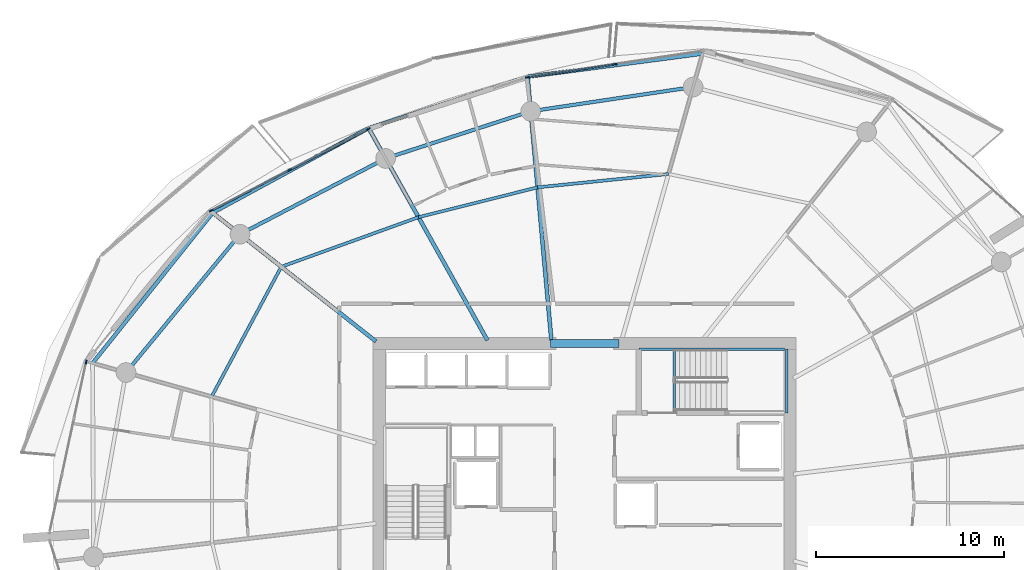
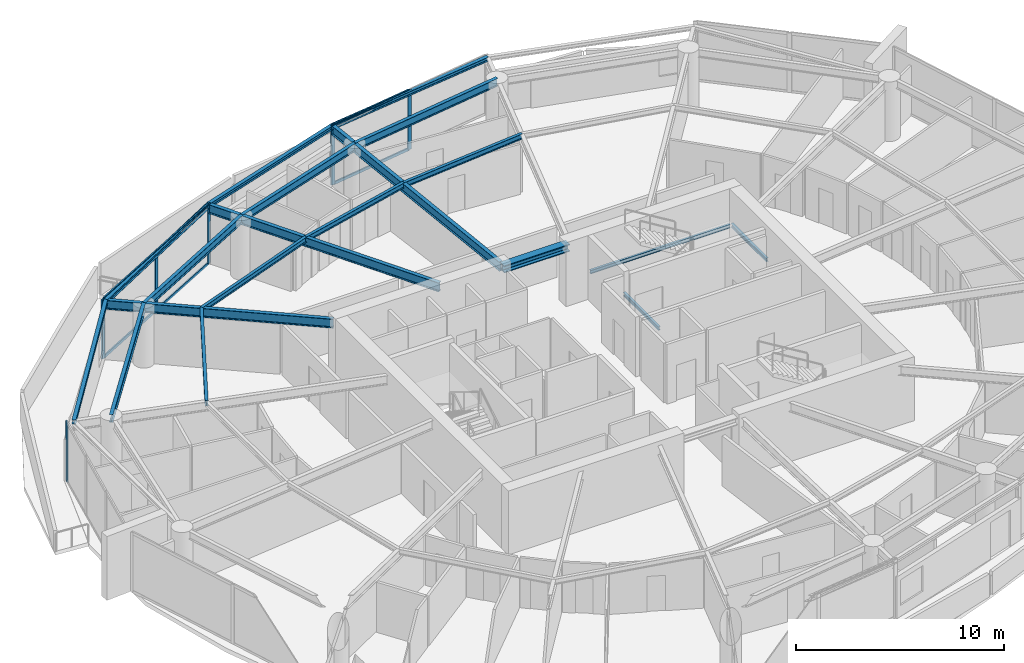
# One storey, part 8 of 20: 19 beams, 12 members, 3 elements without a shape of their own.
"""IFC4 building model written with IfcOpenShell, lengths in metres."""

from ifc_helpers import new_model, si_unit, direction, frame, origin, origin_2d, place, context, subcontext, project, spatial, rectangle, i_section, extrude, material, layer, layer_set, material_profile, profile_set, type_object, element, aggregate, save


model = new_model("IFC4")

# Units and contexts
model_context = context("Model", 3, precision=1e-05, world=origin(), true_north=direction((0.0, 1.0)))
body_context = subcontext(model_context, "Body", "Model", "MODEL_VIEW")
ifc_project = project(units=[si_unit("LENGTHUNIT", "METRE"), si_unit("AREAUNIT", "SQUARE_METRE"), si_unit("VOLUMEUNIT", "CUBIC_METRE"), si_unit("PLANEANGLEUNIT", "RADIAN"), si_unit("MASSUNIT", "GRAM", prefix="KILO")], contexts=[model_context])

# Site, building, storey
site_placement = place(None, origin())
site = spatial("IfcSite", under=ifc_project, at=site_placement, CompositionType="ELEMENT")
building_placement = place(site_placement, origin())
building = spatial("IfcBuilding", under=site, at=building_placement, Name="Kazma Halo Residences", CompositionType="ELEMENT")
storey_placement = place(building_placement, frame((0.0, 0.0, 206.550048828125)))
storey = spatial("IfcBuildingStorey", under=building, at=storey_placement, Name="L52", CompositionType="ELEMENT", Elevation=206.550048828125)

# Beams
ifc_material_1 = material(Name="Steel S355", Category="steel")
ifc_material_profile_1 = material_profile(ifc_material_1, i_section(OverallWidth=0.201904296875, OverallDepth=0.2470703125, WebThickness=0.00732421875, FlangeThickness=0.010986328125, FilletRadius=0.011962890625, at=origin_2d()), Name="W250x49.1")
ifc_profile_set_1 = profile_set([ifc_material_profile_1], Name="Steel S355")
beam_type_1 = type_object("IfcBeamType", Name="BM-BAL-CANT", PredefinedType="BEAM", material=ifc_profile_set_1)
beam_1_placement = place(storey_placement, frame((54.70458984375, 65.772216796875, 3.37646484375), z_axis=(-0.991401891123, -0.130852169558, 0.0), x_axis=(0.130852169558, -0.991401891123, 0.0)))
element("IfcBeam", 1, at=beam_1_placement, inside=storey, type_object=beam_type_1, Name="L52 wave-balcony tie beam 03", PredefinedType="BEAM", context=body_context, shape_type="SweptSolid", body=[
    extrude(i_section(OverallWidth=0.201904296875, OverallDepth=0.2470703125, WebThickness=0.00732421875, FlangeThickness=0.010986328125, FilletRadius=0.011962890625, at=origin_2d()), origin(), (0.0, 0.0, 1.0), 9.401611328125),
])
beam_2_placement = place(storey_placement, frame((45.3837890625, 64.5419921875, 3.37646484375), z_axis=(-0.951434599458, -0.307850942753, 0.0), x_axis=(0.307850942753, -0.951434599458, 0.0)))
element("IfcBeam", 2, at=beam_2_placement, inside=storey, type_object=beam_type_1, Name="L52 wave-balcony tie beam 04", PredefinedType="BEAM", context=body_context, shape_type="SweptSolid", body=[
    extrude(i_section(OverallWidth=0.201904296875, OverallDepth=0.2470703125, WebThickness=0.00732421875, FlangeThickness=0.010986328125, FilletRadius=0.011962890625, at=origin_2d()), origin(), (0.0, 0.0, 1.0), 8.905029296875),
])
beam_3_placement = place(storey_placement, frame((36.9111328125, 61.800537109375, 3.37646484375), z_axis=(-0.878890557257, -0.477023467309, 0.0), x_axis=(0.477023467309, -0.878890557257, 0.0)))
element("IfcBeam", 3, at=beam_3_placement, inside=storey, type_object=beam_type_1, Name="L52 wave-balcony tie beam 05", PredefinedType="BEAM", context=body_context, shape_type="SweptSolid", body=[
    extrude(i_section(OverallWidth=0.201904296875, OverallDepth=0.2470703125, WebThickness=0.00732421875, FlangeThickness=0.010986328125, FilletRadius=0.011962890625, at=origin_2d()), origin(), (0.0, 0.0, 1.0), 9.452880859375),
])
beam_4_placement = place(storey_placement, frame((28.60302734375, 57.291259765625, 3.37646484375), z_axis=(-0.624195724924, -0.781268005864, 0.0), x_axis=(0.781268005864, -0.624195724924, 0.0)))
element("IfcBeam", 4, at=beam_4_placement, inside=storey, type_object=beam_type_1, Name="L52 wave-balcony tie beam 06", PredefinedType="BEAM", context=body_context, shape_type="SweptSolid", body=[
    extrude(i_section(OverallWidth=0.201904296875, OverallDepth=0.2470703125, WebThickness=0.00732421875, FlangeThickness=0.010986328125, FilletRadius=0.011962890625, at=origin_2d()), origin(), (0.0, 0.0, 1.0), 10.258544921875),
])
ifc_material_profile_2 = material_profile(ifc_material_1, i_section(OverallWidth=0.408935546875, OverallDepth=0.425048828125, WebThickness=0.03271484375, FlangeThickness=0.052490234375, FilletRadius=0.02001953125, at=origin_2d()), Name="W360x421")
ifc_profile_set_2 = profile_set([ifc_material_profile_2], Name="Steel S355")
beam_type_2 = type_object("IfcBeamType", Name="BM-CORE-W360H", PredefinedType="BEAM", material=ifc_profile_set_2)
beam_5_placement = place(storey_placement, frame((46.60009765625, 50.324951171875, 3.287353515625), z_axis=(1.0, 0.0, 0.0), x_axis=(0.0, 1.0, 0.0)))
element("IfcBeam", 5, at=beam_5_placement, inside=storey, type_object=beam_type_2, Name="L52 core coupling beam N", PredefinedType="BEAM", context=body_context, shape_type="SweptSolid", body=[
    extrude(i_section(OverallWidth=0.408935546875, OverallDepth=0.425048828125, WebThickness=0.03271484375, FlangeThickness=0.052490234375, FilletRadius=0.02001953125, at=origin_2d()), origin(), (0.0, 0.0, 1.0), 3.64990234375),
])
ifc_material_profile_3 = material_profile(ifc_material_1, i_section(OverallWidth=0.208984375, OverallDepth=0.532958984375, WebThickness=0.01025390625, FlangeThickness=0.015625, FilletRadius=0.01611328125, at=origin_2d()), Name="W530x92")
ifc_profile_set_3 = profile_set([ifc_material_profile_3], Name="Steel S355")
beam_type_3 = type_object("IfcBeamType", Name="BM-RAD-W530", PredefinedType="BEAM", material=ifc_profile_set_3)
beam_6_placement = place(storey_placement, frame((46.64990234375, 50.5, 3.2333984375), z_axis=(-0.089801911205, 0.995959646142, 0.0), x_axis=(-0.995959646142, -0.089801911205, 0.0)))
element("IfcBeam", 6, at=beam_6_placement, inside=storey, type_object=beam_type_3, Name="L52 radial floor beam 04", PredefinedType="BEAM", context=body_context, shape_type="SweptSolid", body=[
    extrude(i_section(OverallWidth=0.208984375, OverallDepth=0.532958984375, WebThickness=0.01025390625, FlangeThickness=0.015625, FilletRadius=0.01611328125, at=origin_2d()), origin(), (0.0, 0.0, 1.0), 14.098876953125),
])
beam_7_placement = place(storey_placement, frame((43.23974609375, 50.5, 3.2333984375), z_axis=(-0.488621736368, 0.872495729931, 0.0), x_axis=(-0.872495729931, -0.488621736368, 0.0)))
element("IfcBeam", 7, at=beam_7_placement, inside=storey, type_object=beam_type_3, Name="L52 radial floor beam 05", PredefinedType="BEAM", context=body_context, shape_type="SweptSolid", body=[
    extrude(i_section(OverallWidth=0.208984375, OverallDepth=0.532958984375, WebThickness=0.01025390625, FlangeThickness=0.015625, FilletRadius=0.01611328125, at=origin_2d()), origin(), (0.0, 0.0, 1.0), 12.951904296875),
])
beam_8_placement = place(storey_placement, frame((37.300048828125, 50.435302734375, 3.2333984375), z_axis=(-0.785326671572, 0.619081593102, 0.0), x_axis=(-0.619081593102, -0.785326671572, 0.0)))
element("IfcBeam", 8, at=beam_8_placement, inside=storey, type_object=beam_type_3, Name="L52 radial floor beam 06", PredefinedType="BEAM", context=body_context, shape_type="SweptSolid", body=[
    extrude(i_section(OverallWidth=0.208984375, OverallDepth=0.532958984375, WebThickness=0.01025390625, FlangeThickness=0.015625, FilletRadius=0.01611328125, at=origin_2d()), origin(), (0.0, 0.0, 1.0), 11.074462890625),
])
ifc_material_profile_4 = material_profile(ifc_material_1, i_section(OverallWidth=0.1650390625, OverallDepth=0.31005859375, WebThickness=0.005859375, FlangeThickness=0.009765625, FilletRadius=0.011962890625, at=origin_2d()), Name="W310x38.7")
ifc_profile_set_4 = profile_set([ifc_material_profile_4], Name="Steel S355")
beam_type_4 = type_object("IfcBeamType", Name="BM-SEC-W310B", PredefinedType="JOIST", material=ifc_profile_set_4)
beam_9_placement = place(storey_placement, frame((52.8955078125, 59.35791015625, 3.344970703125), z_axis=(-0.994813898595, -0.101711883088, 0.0), x_axis=(0.101711883088, -0.994813898595, 0.0)))
element("IfcBeam", 9, at=beam_9_placement, inside=storey, type_object=beam_type_4, Name="L52 circumferential floor joist 03", PredefinedType="JOIST", context=body_context, shape_type="SweptSolid", body=[
    extrude(i_section(OverallWidth=0.1650390625, OverallDepth=0.31005859375, WebThickness=0.005859375, FlangeThickness=0.009765625, FilletRadius=0.011962890625, at=origin_2d()), origin(), (0.0, 0.0, 1.0), 7.01611328125),
])
beam_10_placement = place(storey_placement, frame((45.915771484375, 58.644287109375, 3.344970703125), z_axis=(-0.970019458253, -0.243027263102, 0.0), x_axis=(0.243027263102, -0.970019458253, 0.0)))
element("IfcBeam", 10, at=beam_10_placement, inside=storey, type_object=beam_type_4, Name="L52 circumferential floor joist 04", PredefinedType="JOIST", context=body_context, shape_type="SweptSolid", body=[
    extrude(i_section(OverallWidth=0.1650390625, OverallDepth=0.31005859375, WebThickness=0.005859375, FlangeThickness=0.009765625, FilletRadius=0.011962890625, at=origin_2d()), origin(), (0.0, 0.0, 1.0), 6.542724609375),
])
beam_11_placement = place(storey_placement, frame((39.569091796875, 57.05419921875, 3.344970703125), z_axis=(-0.940484507564, -0.339836565177, 0.0), x_axis=(0.339836565177, -0.940484507564, 0.0)))
element("IfcBeam", 11, at=beam_11_placement, inside=storey, type_object=beam_type_4, Name="L52 circumferential floor joist 05", PredefinedType="JOIST", context=body_context, shape_type="SweptSolid", body=[
    extrude(i_section(OverallWidth=0.1650390625, OverallDepth=0.31005859375, WebThickness=0.005859375, FlangeThickness=0.009765625, FilletRadius=0.011962890625, at=origin_2d()), origin(), (0.0, 0.0, 1.0), 7.776123046875),
])
beam_12_placement = place(storey_placement, frame((32.255859375, 54.41162109375, 3.344970703125), z_axis=(-0.472683532566, -0.881232249774, 0.0), x_axis=(0.881232249774, -0.472683532566, 0.0)))
element("IfcBeam", 12, at=beam_12_placement, inside=storey, type_object=beam_type_4, Name="L52 circumferential floor joist 06", PredefinedType="JOIST", context=body_context, shape_type="SweptSolid", body=[
    extrude(i_section(OverallWidth=0.1650390625, OverallDepth=0.31005859375, WebThickness=0.005859375, FlangeThickness=0.009765625, FilletRadius=0.011962890625, at=origin_2d()), origin(), (0.0, 0.0, 1.0), 7.85693359375),
])
ifc_material_profile_5 = material_profile(ifc_material_1, i_section(OverallWidth=0.18994140625, OverallDepth=0.45703125, WebThickness=0.009033203125, FlangeThickness=0.014404296875, FilletRadius=0.01611328125, at=origin_2d()), Name="W460x74")
ifc_profile_set_5 = profile_set([ifc_material_profile_5], Name="Steel S355")
beam_type_5 = type_object("IfcBeamType", Name="BM-SPN-W460", PredefinedType="BEAM", material=ifc_profile_set_5)
beam_13_placement = place(storey_placement, frame((54.202392578125, 63.99169921875, 3.271484375), z_axis=(-0.98903439143, -0.147685383732, 0.0), x_axis=(0.147685383732, -0.98903439143, 0.0)))
element("IfcBeam", 13, at=beam_13_placement, inside=storey, type_object=beam_type_5, Name="L52 perimeter ring beam 03", PredefinedType="BEAM", context=body_context, shape_type="SweptSolid", body=[
    extrude(i_section(OverallWidth=0.18994140625, OverallDepth=0.45703125, WebThickness=0.009033203125, FlangeThickness=0.014404296875, FilletRadius=0.01611328125, at=origin_2d()), origin(), (0.0, 0.0, 1.0), 8.748291015625),
])
beam_14_placement = place(storey_placement, frame((45.550048828125, 62.69970703125, 3.271484375), z_axis=(-0.951048627281, -0.30904127321, 0.0), x_axis=(0.30904127321, -0.951048627281, 0.0)))
element("IfcBeam", 14, at=beam_14_placement, inside=storey, type_object=beam_type_5, Name="L52 perimeter ring beam 04", PredefinedType="BEAM", context=body_context, shape_type="SweptSolid", body=[
    extrude(i_section(OverallWidth=0.18994140625, OverallDepth=0.45703125, WebThickness=0.009033203125, FlangeThickness=0.014404296875, FilletRadius=0.01611328125, at=origin_2d()), origin(), (0.0, 0.0, 1.0), 8.133056640625),
])
beam_15_placement = place(storey_placement, frame((37.815185546875, 60.186279296875, 3.271484375), z_axis=(-0.886961243394, -0.461843861838, 0.0), x_axis=(0.461843861838, -0.886961243394, 0.0)))
element("IfcBeam", 15, at=beam_15_placement, inside=storey, type_object=beam_type_5, Name="L52 perimeter ring beam 05", PredefinedType="BEAM", context=body_context, shape_type="SweptSolid", body=[
    extrude(i_section(OverallWidth=0.18994140625, OverallDepth=0.45703125, WebThickness=0.009033203125, FlangeThickness=0.014404296875, FilletRadius=0.01611328125, at=origin_2d()), origin(), (0.0, 0.0, 1.0), 8.748046875),
])
beam_16_placement = place(storey_placement, frame((30.055908203125, 56.14599609375, 3.271484375), z_axis=(-0.63601715545, -0.771674917289, 0.0), x_axis=(0.771674917289, -0.63601715545, 0.0)))
element("IfcBeam", 16, at=beam_16_placement, inside=storey, type_object=beam_type_5, Name="L52 perimeter ring beam 06", PredefinedType="BEAM", context=body_context, shape_type="SweptSolid", body=[
    extrude(i_section(OverallWidth=0.18994140625, OverallDepth=0.45703125, WebThickness=0.009033203125, FlangeThickness=0.014404296875, FilletRadius=0.01611328125, at=origin_2d()), origin(), (0.0, 0.0, 1.0), 9.552734375),
])
ifc_material_profile_6 = material_profile(ifc_material_1, i_section(OverallWidth=0.133056640625, OverallDepth=0.20703125, WebThickness=0.005859375, FlangeThickness=0.00830078125, FilletRadius=0.010009765625, at=origin_2d()), Name="W200x26.6")
ifc_profile_set_6 = profile_set([ifc_material_profile_6], Name="Steel S355")
beam_type_6 = type_object("IfcBeamType", Name="BM-TRIM-W200", PredefinedType="BEAM", material=ifc_profile_set_6)
beam_17_placement = place(storey_placement, frame((53.199951171875, 46.6201171875, -0.360107421875), z_axis=(0.0, 1.0, 0.0), x_axis=(-1.0, 0.0, 0.0)))
element("IfcBeam", 17, at=beam_17_placement, inside=storey, type_object=beam_type_6, Name="L52 ST-02 floor landing support beam", PredefinedType="BEAM", context=body_context, shape_type="SweptSolid", body=[
    extrude(i_section(OverallWidth=0.133056640625, OverallDepth=0.20703125, WebThickness=0.005859375, FlangeThickness=0.00830078125, FilletRadius=0.010009765625, at=origin_2d()), origin(), (0.0, 0.0, 1.0), 3.3798828125),
])
beam_18_placement = place(storey_placement, frame((51.31005859375, 50.02001953125, 1.570068359375), z_axis=(1.0, 0.0, 0.0), x_axis=(0.0, 1.0, 0.0)))
element("IfcBeam", 18, at=beam_18_placement, inside=storey, type_object=beam_type_6, Name="L52 ST-02 landing north wall ledger", PredefinedType="BEAM", context=body_context, shape_type="SweptSolid", body=[
    extrude(i_section(OverallWidth=0.133056640625, OverallDepth=0.20703125, WebThickness=0.005859375, FlangeThickness=0.00830078125, FilletRadius=0.010009765625, at=origin_2d()), origin(), (0.0, 0.0, 1.0), 7.760009765625),
])
beam_19_placement = place(storey_placement, frame((59.18994140625, 46.6201171875, 1.570068359375), z_axis=(0.0, 1.0, 0.0), x_axis=(-1.0, 0.0, 0.0)))
element("IfcBeam", 19, at=beam_19_placement, inside=storey, type_object=beam_type_6, Name="L52 ST-02 landing end wall ledger", PredefinedType="BEAM", context=body_context, shape_type="SweptSolid", body=[
    extrude(i_section(OverallWidth=0.133056640625, OverallDepth=0.20703125, WebThickness=0.005859375, FlangeThickness=0.00830078125, FilletRadius=0.010009765625, at=origin_2d()), origin(), (0.0, 0.0, 1.0), 3.39990234375),
])

# Curtain wall, members
ifc_material_2 = material(Name="Aluminium AW-6063 T6 and Triple-Silver Low-E Glass", Category="aluminium")
ifc_layer = layer(ifc_material_2, 0.219970703125)
ifc_layer_set = layer_set([ifc_layer], Name="Aluminium AW-6063 T6 and Triple-Silver Low-E Glass")
curtain_wall_type = type_object("IfcCurtainWallType", Name="CW-SYS-4", PredefinedType="NOTDEFINED", material=ifc_layer_set)
curtain_wall_1_placement = place(storey_placement, origin())
curtain_wall_1 = element("IfcCurtainWall", 20, at=curtain_wall_1_placement, inside=storey, type_object=curtain_wall_type, Name="L52 unitised curtain wall B03", PredefinedType="NOTDEFINED")
ifc_material_3 = material(Name="Aluminium AW-6063 T6", Category="aluminium")
ifc_material_profile_7 = material_profile(ifc_material_3, rectangle(XDim=0.074951171875, YDim=0.219970703125, at=origin_2d()), Name="CWM-75x220")
ifc_profile_set_7 = profile_set([ifc_material_profile_7], Name="Aluminium AW-6063 T6")
member_type_1 = type_object("IfcMemberType", Name="CW-SYS-4-MUL", PredefinedType="MULLION", material=ifc_profile_set_7)
member_1_placement = place(storey_placement, frame((50.041259765625, 65.211181640625, 0.0), z_axis=(0.0, 0.0, 1.0), x_axis=(0.148772639188, -0.988871428361, 0.0)))
member_1 = element("IfcMember", 21, at=member_1_placement, type_object=member_type_1, Name="CWS-4 mullion 2", PredefinedType="MULLION", context=body_context, shape_type="SweptSolid", body=[
    extrude(rectangle(XDim=0.074951171875, YDim=0.219970703125, at=origin_2d()), origin(), (0.0, 0.0, 1.0), 3.5),
])
member_2_placement = place(storey_placement, frame((45.373779296875, 64.509033203125, 0.0), z_axis=(0.0, 0.0, 1.0), x_axis=(0.148772639188, -0.988871428361, 0.0)))
member_2 = element("IfcMember", 22, at=member_2_placement, type_object=member_type_1, Name="CWS-4 mullion 3", PredefinedType="MULLION", context=body_context, shape_type="SweptSolid", body=[
    extrude(rectangle(XDim=0.074951171875, YDim=0.219970703125, at=origin_2d()), origin(), (0.0, 0.0, 1.0), 3.5),
])

curtain_wall_2_placement = place(storey_placement, origin())
curtain_wall_2 = element("IfcCurtainWall", 23, at=curtain_wall_2_placement, inside=storey, type_object=curtain_wall_type, Name="L52 unitised curtain wall B05", PredefinedType="NOTDEFINED")
member_3_placement = place(storey_placement, frame((36.894287109375, 61.75390625, 0.0), z_axis=(0.0, 0.0, 1.0), x_axis=(0.460873851097, -0.887465657575, 0.0)))
member_3 = element("IfcMember", 24, at=member_3_placement, type_object=member_type_1, Name="CWS-4 mullion 1", PredefinedType="MULLION", context=body_context, shape_type="SweptSolid", body=[
    extrude(rectangle(XDim=0.074951171875, YDim=0.219970703125, at=origin_2d()), origin(), (0.0, 0.0, 1.0), 3.5),
])
member_4_placement = place(storey_placement, frame((32.705322265625, 59.578369140625, 0.0), z_axis=(0.0, 0.0, 1.0), x_axis=(0.460873851097, -0.887465657575, 0.0)))
member_4 = element("IfcMember", 25, at=member_4_placement, type_object=member_type_1, Name="CWS-4 mullion 2", PredefinedType="MULLION", context=body_context, shape_type="SweptSolid", body=[
    extrude(rectangle(XDim=0.074951171875, YDim=0.219970703125, at=origin_2d()), origin(), (0.0, 0.0, 1.0), 3.5),
])
member_5_placement = place(storey_placement, frame((28.5166015625, 57.403076171875, 0.0), z_axis=(0.0, 0.0, 1.0), x_axis=(0.460873851097, -0.887465657575, 0.0)))
member_5 = element("IfcMember", 26, at=member_5_placement, type_object=member_type_1, Name="CWS-4 mullion 3", PredefinedType="MULLION", context=body_context, shape_type="SweptSolid", body=[
    extrude(rectangle(XDim=0.074951171875, YDim=0.219970703125, at=origin_2d()), origin(), (0.0, 0.0, 1.0), 3.5),
])

# Curtain wall, member
curtain_wall_3_placement = place(storey_placement, origin())
curtain_wall_3 = element("IfcCurtainWall", 27, at=curtain_wall_3_placement, inside=storey, type_object=curtain_wall_type, Name="L52 unitised curtain wall B07", PredefinedType="NOTDEFINED")
member_6_placement = place(storey_placement, frame((21.8564453125, 49.334228515625, 0.0), z_axis=(0.0, 0.0, 1.0), x_axis=(0.977768017212, -0.209689543175, 0.0)))
member_6 = element("IfcMember", 28, at=member_6_placement, type_object=member_type_1, Name="CWS-4 mullion 1", PredefinedType="MULLION", context=body_context, shape_type="SweptSolid", body=[
    extrude(rectangle(XDim=0.074951171875, YDim=0.219970703125, at=origin_2d()), origin(), (0.0, 0.0, 1.0), 3.5),
])
aggregate(curtain_wall_3, [member_6])

# Member
ifc_material_profile_8 = material_profile(ifc_material_3, rectangle(XDim=0.074951171875, YDim=0.1650390625, at=origin_2d()), Name="CWT-75x165")
ifc_profile_set_8 = profile_set([ifc_material_profile_8], Name="Aluminium AW-6063 T6")
member_type_2 = type_object("IfcMemberType", Name="CW-SYS-4-TRN", PredefinedType="USERDEFINED", material=ifc_profile_set_8)
member_7_placement = place(storey_placement, frame((50.004150390625, 65.20556640625, 0.037353515625), z_axis=(-0.988876518566, -0.148738801357, 0.0), x_axis=(0.148738801357, -0.988876518566, 0.0)))
member_7 = element("IfcMember", 29, at=member_7_placement, type_object=member_type_2, Name="CWS-4 transom 2.1", ObjectType="TRANSOM", PredefinedType="USERDEFINED", context=body_context, shape_type="SweptSolid", body=[
    extrude(rectangle(XDim=0.074951171875, YDim=0.1650390625, at=origin_2d()), origin(), (0.0, 0.0, 1.0), 4.645263671875),
])

member_8_placement = place(storey_placement, frame((50.004150390625, 65.20556640625, 3.46240234375), z_axis=(-0.988876518566, -0.148738801357, 0.0), x_axis=(0.148738801357, -0.988876518566, 0.0)))
member_8 = element("IfcMember", 30, at=member_8_placement, type_object=member_type_2, Name="CWS-4 transom 2.2", ObjectType="TRANSOM", PredefinedType="USERDEFINED", context=body_context, shape_type="SweptSolid", body=[
    extrude(rectangle(XDim=0.074951171875, YDim=0.1650390625, at=origin_2d()), origin(), (0.0, 0.0, 1.0), 4.645263671875),
])

aggregate(curtain_wall_1, [member_1, member_2, member_7, member_8])

member_9_placement = place(storey_placement, frame((36.861083984375, 61.736572265625, 0.037353515625), z_axis=(-0.887457630519, -0.460889307789, 0.0), x_axis=(0.460889307789, -0.887457630519, 0.0)))
member_9 = element("IfcMember", 31, at=member_9_placement, type_object=member_type_2, Name="CWS-4 transom 1.1", ObjectType="TRANSOM", PredefinedType="USERDEFINED", context=body_context, shape_type="SweptSolid", body=[
    extrude(rectangle(XDim=0.074951171875, YDim=0.1650390625, at=origin_2d()), origin(), (0.0, 0.0, 1.0), 4.64501953125),
])

member_10_placement = place(storey_placement, frame((36.861083984375, 61.736572265625, 3.46240234375), z_axis=(-0.887457630519, -0.460889307789, 0.0), x_axis=(0.460889307789, -0.887457630519, 0.0)))
member_10 = element("IfcMember", 32, at=member_10_placement, type_object=member_type_2, Name="CWS-4 transom 1.2", ObjectType="TRANSOM", PredefinedType="USERDEFINED", context=body_context, shape_type="SweptSolid", body=[
    extrude(rectangle(XDim=0.074951171875, YDim=0.1650390625, at=origin_2d()), origin(), (0.0, 0.0, 1.0), 4.64501953125),
])

member_11_placement = place(storey_placement, frame((32.672119140625, 59.561279296875, 0.037353515625), z_axis=(-0.887457630519, -0.460889307789, 0.0), x_axis=(0.460889307789, -0.887457630519, 0.0)))
member_11 = element("IfcMember", 33, at=member_11_placement, type_object=member_type_2, Name="CWS-4 transom 2.1", ObjectType="TRANSOM", PredefinedType="USERDEFINED", context=body_context, shape_type="SweptSolid", body=[
    extrude(rectangle(XDim=0.074951171875, YDim=0.1650390625, at=origin_2d()), origin(), (0.0, 0.0, 1.0), 4.64501953125),
])

member_12_placement = place(storey_placement, frame((32.672119140625, 59.561279296875, 3.46240234375), z_axis=(-0.887457630519, -0.460889307789, 0.0), x_axis=(0.460889307789, -0.887457630519, 0.0)))
member_12 = element("IfcMember", 34, at=member_12_placement, type_object=member_type_2, Name="CWS-4 transom 2.2", ObjectType="TRANSOM", PredefinedType="USERDEFINED", context=body_context, shape_type="SweptSolid", body=[
    extrude(rectangle(XDim=0.074951171875, YDim=0.1650390625, at=origin_2d()), origin(), (0.0, 0.0, 1.0), 4.64501953125),
])

aggregate(curtain_wall_2, [member_3, member_4, member_5, member_9, member_10, member_11, member_12])

save(model, "model.ifc")
